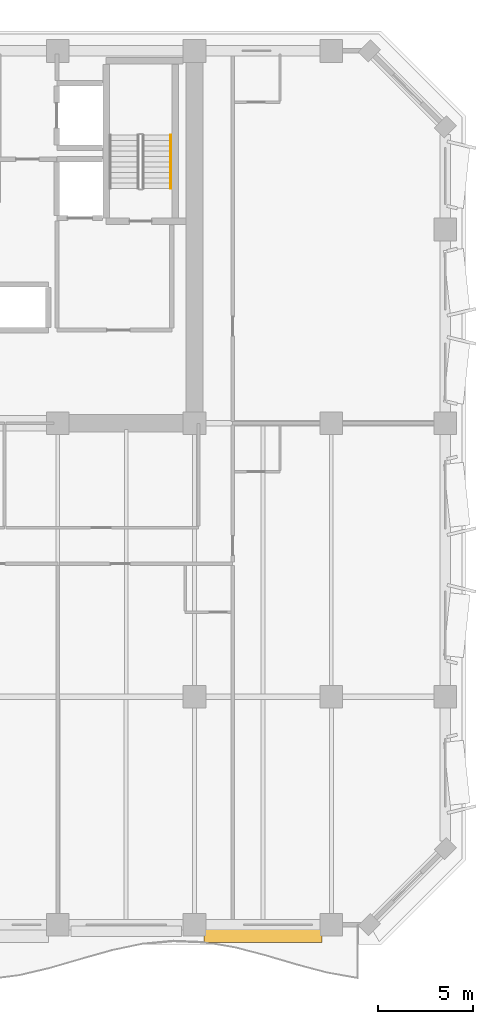
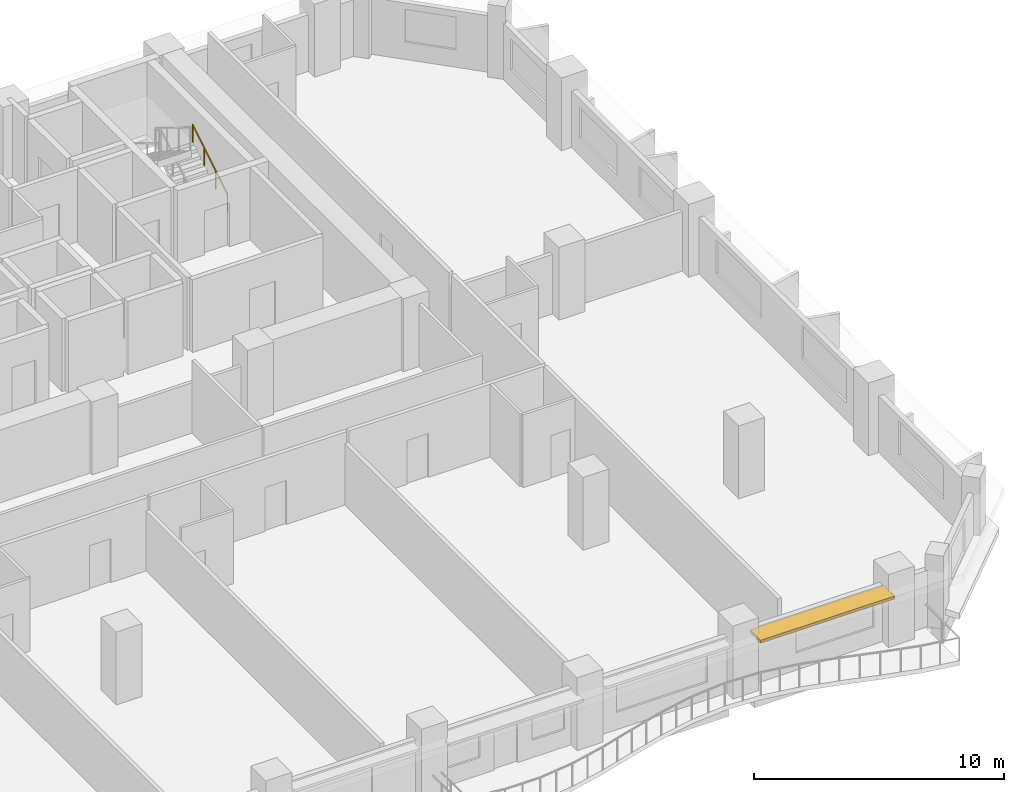
# One storey, part 14 of 14: 1 railing, 1 shading device.
"""IFC4 building model written with IfcOpenShell, lengths in metres."""

from ifc_helpers import new_model, si_unit, direction, frame, origin, origin_2d, place, context, subcontext, project, spatial, rectangle, extrude, material, layer, layer_set, type_object, element, save


model = new_model("IFC4")

# Units and contexts
model_context = context("Model", 3, precision=1e-05, world=origin(), true_north=direction((0.0, 1.0)))
body_context = subcontext(model_context, "Body", "Model", "MODEL_VIEW")
ifc_project = project(units=[si_unit("LENGTHUNIT", "METRE"), si_unit("AREAUNIT", "SQUARE_METRE"), si_unit("VOLUMEUNIT", "CUBIC_METRE"), si_unit("PLANEANGLEUNIT", "RADIAN"), si_unit("MASSUNIT", "GRAM", prefix="KILO")], contexts=[model_context])

# Site, building, storey
site_placement = place(None, origin())
site = spatial("IfcSite", under=ifc_project, at=site_placement, CompositionType="ELEMENT")
building_placement = place(site_placement, origin())
building = spatial("IfcBuilding", under=site, at=building_placement, Name="Kaelvorn Grand Hotel", CompositionType="ELEMENT")
storey_placement = place(building_placement, frame((0.0, 0.0, 197.75)))
storey = spatial("IfcBuildingStorey", under=building, at=storey_placement, Name="L48", CompositionType="ELEMENT", Elevation=197.75)

# Railing
ifc_material_1 = material(Name="Stainless Steel", Category="steel")
railing_type = type_object("IfcRailingType", Name="RL-HANDRAIL-900", PredefinedType="HANDRAIL", material=ifc_material_1)
railing_placement = place(storey_placement, frame((66.550048828125, 41.760009765625, 0.172607421875)))
element("IfcRailing", 1, at=railing_placement, inside=storey, type_object=railing_type, Name="L48 ST3 stair handrail 1", PredefinedType="HANDRAIL", context=body_context, shape_type="SweptSolid", body=[
    extrude(rectangle(XDim=0.048095703125, YDim=0.048095703125, at=origin_2d()), frame((0.0, 0.0, 0.8759765625), z_axis=(0.0, 0.851089632645, 0.525020415988), x_axis=(-1.0, 0.0, 0.0)), (0.0, 0.0, 1.0), 3.2900390625),
    extrude(rectangle(XDim=0.0419921875, YDim=0.0419921875, at=origin_2d()), origin(), (0.0, 0.0, 1.0), 0.851806640625),
    extrude(rectangle(XDim=0.0419921875, YDim=0.0419921875, at=origin_2d()), frame((0.0, 0.933349609375, 0.57568359375)), (0.0, 0.0, 1.0), 0.851806640625),
    extrude(rectangle(XDim=0.0419921875, YDim=0.0419921875, at=origin_2d()), frame((0.0, 1.86669921875, 1.151611328125)), (0.0, 0.0, 1.0), 0.851806640625),
    extrude(rectangle(XDim=0.0419921875, YDim=0.0419921875, at=origin_2d()), frame((0.0, 2.800048828125, 1.727294921875)), (0.0, 0.0, 1.0), 0.851806640625),
])

# Shading device
ifc_material_2 = material(Name="Precast concrete C45/55", Category="concrete")
ifc_layer = layer(ifc_material_2, 0.139892578125)
ifc_layer_set = layer_set([ifc_layer], Name="Precast concrete C45/55")
shading_device_type = type_object("IfcShadingDeviceType", Name="SHD-SUNSHADE-850", PredefinedType="USERDEFINED", material=ifc_layer_set)
shading_device_placement = place(storey_placement, frame((71.39990234375, 2.4951171875, 2.55029296875), z_axis=(0.0, 0.0, 1.0), x_axis=(1.0, 0.0, 0.0)))
element("IfcShadingDevice", 2, at=shading_device_placement, inside=storey, type_object=shading_device_type, Name="L48 Horizontal Concrete Sunshade Band SS-10", ObjectType="SUNSHADE", PredefinedType="USERDEFINED", context=body_context, shape_type="SweptSolid", body=[
    extrude(rectangle(XDim=6.199951171875, YDim=0.85009765625, at=origin_2d()), origin(), (0.0, 0.0, 1.0), 0.139892578125),
])

save(model, "model.ifc")
